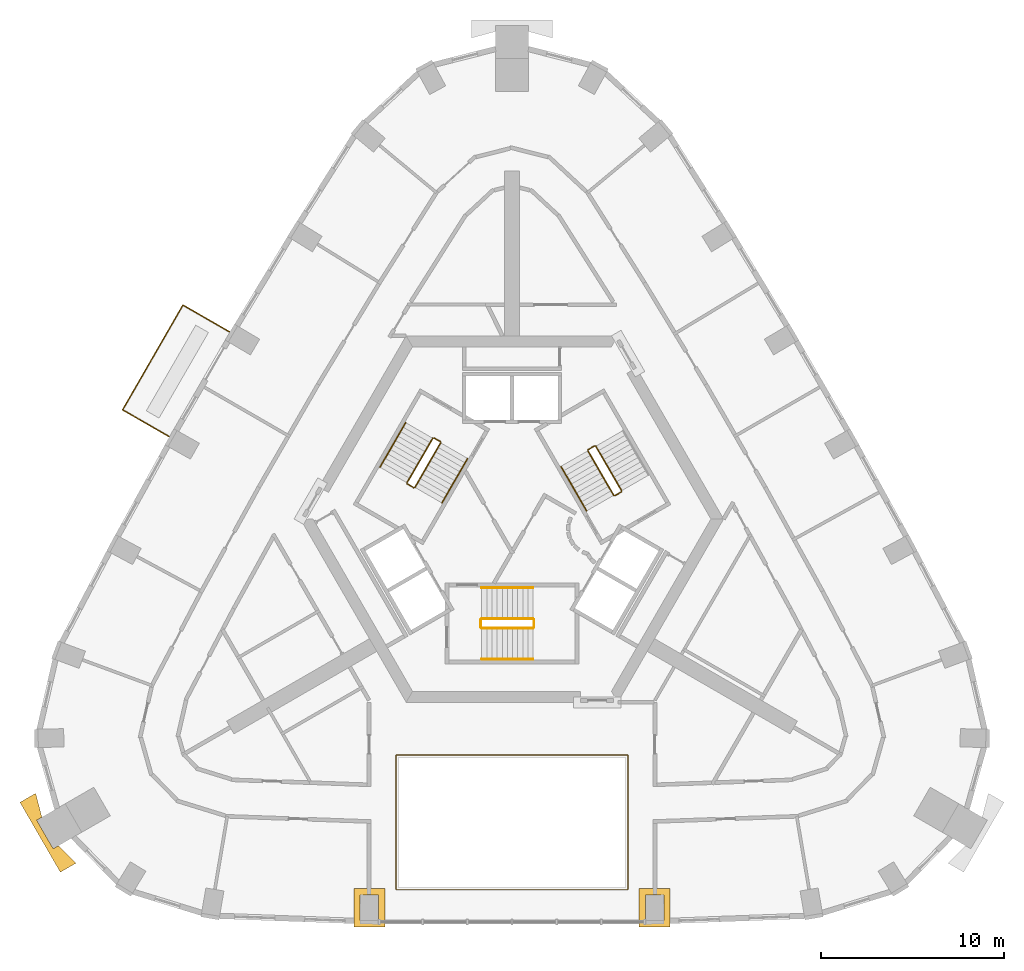
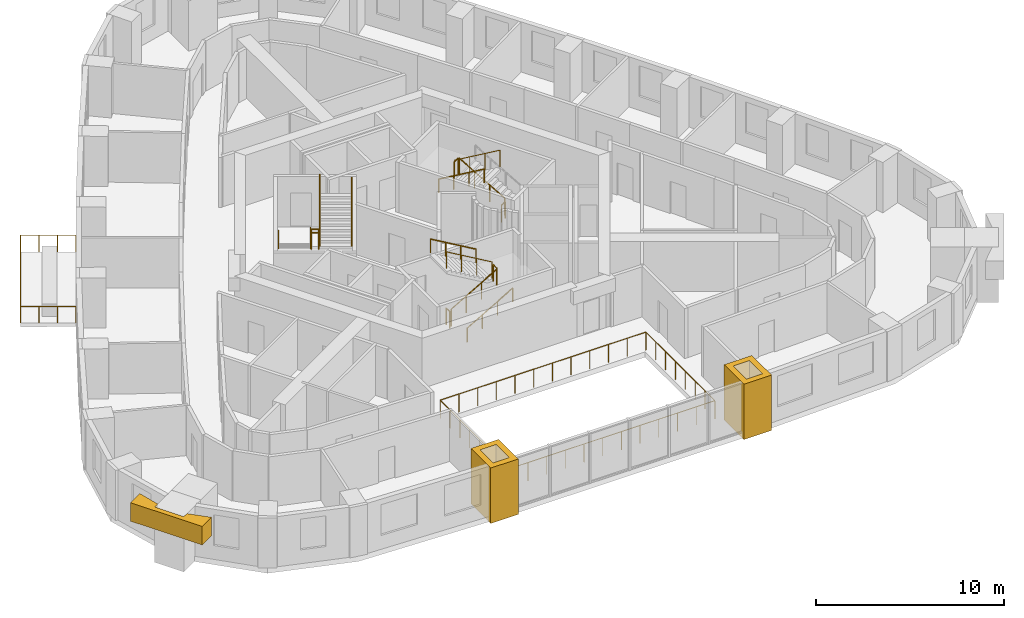
# One storey, part 10 of 11: 19 railings, 3 coverings.
"""IFC4 building model written with IfcOpenShell, lengths in metres."""

import ifcopenshell
import ifcopenshell.guid

model = None  # the IFC model being written
_history = None  # IfcOwnerHistory: only IFC2X3 demands one
_inside = {}  # id of a spatial element -> (the spatial element, [elements in it])
_under = {}  # id of a project, library or spatial element -> (it, [spatial elements below it])
_declared = {}  # id of a project -> (the project, [libraries it declares])
_typed = {}  # id of a type object -> (the type object, [elements of that type])
_made_of = {}  # id of a material, layer set ... -> (it, [elements and type objects made of it])


def new_model(schema):
    """Start an empty IFC model of exactly this schema.

    Asked for "IFC4X3", IfcOpenShell would pick the latest addendum, in which some entities
    have other attributes; the version numbers below select the first issue.
    IFC2X3 requires an IfcOwnerHistory on every rooted entity: one is made here for all.
    """
    global model, _history
    if schema == "IFC4X3":
        model = ifcopenshell.file(schema_version=(4, 3, 0, 0))
    else:
        model = ifcopenshell.file(schema=schema)
    _inside.clear()
    _under.clear()
    _declared.clear()
    _typed.clear()
    _made_of.clear()
    _history = None
    if model.schema == "IFC2X3":
        org = make("IfcOrganization", Name="unknown")
        user = make(
            "IfcPersonAndOrganization",
            ThePerson=make("IfcPerson", FamilyName="unknown"),
            TheOrganization=org,
        )
        app = make(
            "IfcApplication",
            ApplicationDeveloper=org,
            Version="unknown",
            ApplicationFullName="unknown",
            ApplicationIdentifier="unknown",
        )
        _history = make(
            "IfcOwnerHistory",
            OwningUser=user,
            OwningApplication=app,
            ChangeAction="ADDED",
            CreationDate=0,
        )
    return model


def make(cls, **values):
    """One entity of the class cls with the attributes given. An attribute that is None is left unset."""
    return model.create_entity(
        cls, **{name: value for name, value in values.items() if value is not None}
    )


def rooted(cls, **values):
    """An entity with a GlobalId (a new one), such as an element, a storey or a relation."""
    return make(cls, GlobalId=ifcopenshell.guid.new(), OwnerHistory=_history, **values)


def si_unit(unit_type, name, prefix=None):
    """IfcSIUnit, for example si_unit("LENGTHUNIT", "METRE", prefix="MILLI")."""
    return make("IfcSIUnit", UnitType=unit_type, Prefix=prefix, Name=name)


def assignment(units):
    """IfcUnitAssignment: the units of a project."""
    return None if units is None else make("IfcUnitAssignment", Units=units)


def point(xyz):
    """IfcCartesianPoint."""
    return None if xyz is None else make("IfcCartesianPoint", Coordinates=xyz)


def direction(xyz):
    """IfcDirection."""
    return None if xyz is None else make("IfcDirection", DirectionRatios=xyz)


def frame(location, z_axis=None, x_axis=None):
    """IfcAxis2Placement3D, a coordinate frame: its origin and axes. An axis left out is left unset."""
    return make(
        "IfcAxis2Placement3D",
        Location=point(location),
        Axis=direction(z_axis),
        RefDirection=direction(x_axis),
    )


def frame_2d(location, x_axis=None):
    """IfcAxis2Placement2D, a coordinate frame in the plane: its origin and x axis."""
    return make(
        "IfcAxis2Placement2D", Location=point(location), RefDirection=direction(x_axis)
    )


def origin():
    """The frame at (0, 0, 0) with its axes left unset."""
    return frame((0.0, 0.0, 0.0))


def origin_2d():
    """The frame at (0, 0) in the plane with its x axis left unset."""
    return frame_2d((0.0, 0.0))


def place(relative_to, where):
    """IfcLocalPlacement: puts the frame where relative to a parent placement (None: the world)."""
    return make(
        "IfcLocalPlacement", PlacementRelTo=relative_to, RelativePlacement=where
    )


def context(
    kind, dimensions, precision=None, world=None, true_north=None, identifier=None
):
    """IfcGeometricRepresentationContext, for example the 3D "Model" context."""
    return make(
        "IfcGeometricRepresentationContext",
        ContextIdentifier=identifier,
        ContextType=kind,
        CoordinateSpaceDimension=dimensions,
        Precision=precision,
        WorldCoordinateSystem=world,
        TrueNorth=true_north,
    )


def subcontext(parent, identifier, kind, view, scale=None):
    """IfcGeometricRepresentationSubContext, for example "Body" below "Model"."""
    return make(
        "IfcGeometricRepresentationSubContext",
        ContextIdentifier=identifier,
        ContextType=kind,
        ParentContext=parent,
        TargetScale=scale,
        TargetView=view,
    )


def project(units=None, contexts=None):
    """IfcProject with its units and contexts."""
    return rooted(
        "IfcProject",
        Name="project",
        RepresentationContexts=contexts,
        UnitsInContext=assignment(units),
    )


def spatial(cls, under=None, at=None, **own):
    """A site, building, storey or space (cls), placed at a placement, below another one or the project."""
    s = rooted(cls, ObjectPlacement=at, **own)
    if under is not None:
        _under.setdefault(under.id(), (under, []))[1].append(s)
    return s


def polyline(points):
    """IfcPolyline through the points."""
    return make("IfcPolyline", Points=[point(p) for p in points])


def profile(cls, at=None, kind="AREA", **sizes):
    """A parametric profile (cls). Its sizes go by their IFC names, for example OverallWidth=200.0."""
    return make(cls, ProfileType=kind, Position=at, **sizes)


def circle(**sizes):
    """IfcCircleProfileDef."""
    return profile("IfcCircleProfileDef", **sizes)


def outline(outer, holes=None, kind="AREA"):
    """IfcArbitraryClosedProfileDef: a profile drawn as a closed curve; with holes, ...WithVoids."""
    if holes is None:
        return make("IfcArbitraryClosedProfileDef", ProfileType=kind, OuterCurve=outer)
    return make(
        "IfcArbitraryProfileDefWithVoids",
        ProfileType=kind,
        OuterCurve=outer,
        InnerCurves=holes,
    )


def extrude(swept, where, along, depth):
    """IfcExtrudedAreaSolid: the profile swept, set in the frame where, extruded along a direction by depth."""
    return make(
        "IfcExtrudedAreaSolid",
        SweptArea=swept,
        Position=where,
        ExtrudedDirection=direction(along),
        Depth=depth,
    )


def shape(context_of_items, identifier, shape_type, items):
    """IfcShapeRepresentation: the items that make up one representation, for example the "Body"."""
    return make(
        "IfcShapeRepresentation",
        ContextOfItems=context_of_items,
        RepresentationIdentifier=identifier,
        RepresentationType=shape_type,
        Items=items,
    )


def material(Name=None, Category=None):
    """IfcMaterial."""
    return make("IfcMaterial", Name=Name, Category=Category)


def made_of(thing, what):
    """Note that an element or type object is made of a material, layer set ...; save() writes the relation."""
    if what is not None:
        _made_of.setdefault(what.id(), (what, []))[1].append(thing)
    return thing


def type_object(cls, material=None, **own):
    """A type object (cls), such as IfcWallType, which elements share."""
    return made_of(rooted(cls, **own), material)


def element(
    cls,
    number,
    at=None,
    inside=None,
    cuts=None,
    type_object=None,
    material=None,
    context=None,
    identifier="Body",
    shape_type=None,
    held_by="IfcProductDefinitionShape",
    body=None,
    shapes=None,
    **own,
):
    """One element of the class cls, such as IfcWall. Its Tag is "e" and its number.

    at: its placement. inside: the storey or other place that contains it. cuts: it is an
    opening in that element (IfcRelVoidsElement). A single representation is given by context,
    identifier, shape_type and body (its items); several are given by shapes. held_by: the class
    of the entity that holds the representations. save() writes the other relations.
    """
    e = rooted(cls, Tag="e%d" % number, ObjectPlacement=at, **own)
    if body is not None:
        shapes = [shape(context, identifier, shape_type, body)]
    if shapes is not None:
        e.Representation = make(held_by, Representations=shapes)
    if inside is not None:
        _inside.setdefault(inside.id(), (inside, []))[1].append(e)
    if cuts is not None:
        rooted(
            "IfcRelVoidsElement", RelatingBuildingElement=cuts, RelatedOpeningElement=e
        )
    if type_object is not None:
        _typed.setdefault(type_object.id(), (type_object, []))[1].append(e)
    return made_of(e, material)


def aggregate(whole, parts):
    """IfcRelAggregates: a whole, such as a stair, and the parts it consists of."""
    return rooted("IfcRelAggregates", RelatingObject=whole, RelatedObjects=parts)


def save(model, path):
    """Write the relations noted so far, then the file.

    IfcRelAggregates (storeys below a building ...), IfcRelContainedInSpatialStructure (elements
    in a storey), IfcRelDefinesByType, IfcRelAssociatesMaterial and IfcRelDeclares: one each for
    every whole, place, type object, material and project.
    """
    for whole, parts in _under.values():
        aggregate(whole, parts)
    for where, things in _inside.values():
        rooted(
            "IfcRelContainedInSpatialStructure",
            RelatedElements=things,
            RelatingStructure=where,
        )
    for kind, things in _typed.values():
        rooted("IfcRelDefinesByType", RelatedObjects=things, RelatingType=kind)
    for what, things in _made_of.values():
        rooted("IfcRelAssociatesMaterial", RelatedObjects=things, RelatingMaterial=what)
    for by, libraries in _declared.values():
        rooted("IfcRelDeclares", RelatingContext=by, RelatedDefinitions=libraries)
    model.write(path)


model = new_model("IFC4")

# Units and contexts
model_context = context("Model", 3, precision=1e-05, world=origin(), true_north=direction((0.0, 1.0)))
body_context = subcontext(model_context, "Body", "Model", "MODEL_VIEW")
ifc_project = project(units=[si_unit("LENGTHUNIT", "METRE"), si_unit("AREAUNIT", "SQUARE_METRE"), si_unit("VOLUMEUNIT", "CUBIC_METRE"), si_unit("PLANEANGLEUNIT", "RADIAN"), si_unit("MASSUNIT", "GRAM", prefix="KILO")], contexts=[model_context])

# Site, building, storey
site_placement = place(None, origin())
site = spatial("IfcSite", under=ifc_project, at=site_placement, CompositionType="ELEMENT")
building_placement = place(site_placement, origin())
building = spatial("IfcBuilding", under=site, at=building_placement, Name="Entoto Arch Interchange Tower", CompositionType="ELEMENT")
storey_placement = place(building_placement, frame((0.0, 0.0, 248.60009765625)))
storey = spatial("IfcBuildingStorey", under=building, at=storey_placement, Name="L56", CompositionType="ELEMENT", Elevation=248.60009765625)

# Railings
ifc_material_1 = material(Name="Stainless steel 1.4301", Category="steel")
railing_type_1 = type_object("IfcRailingType", Name="ATRIUM GUARD 1200 STEEL AND GLASS", PredefinedType="GUARDRAIL", material=ifc_material_1)
railing_1_placement = place(storey_placement, frame((6.320068359375, -17.72802734375, 0.0)))
element("IfcRailing", 1, at=railing_1_placement, inside=storey, type_object=railing_type_1, Name="Atrium guard L56", PredefinedType="GUARDRAIL", context=body_context, shape_type="SweptSolid", body=[
    extrude(circle(Radius=0.02392578125, at=origin_2d()), frame((0.0, 0.0, 1.17578125), z_axis=(-1.0, 0.0, 0.0), x_axis=(0.0, -1.0, 0.0)), (0.0, 0.0, 1.0), 12.64013671875),
    extrude(circle(Radius=0.02392578125, at=origin_2d()), frame((-12.64013671875, 0.0, 1.17578125), z_axis=(0.0, 1.0, 0.0), x_axis=(-1.0, 0.0, 0.0)), (0.0, 0.0, 1.0), 7.34814453125),
    extrude(circle(Radius=0.02392578125, at=origin_2d()), frame((-12.64013671875, 7.34814453125, 1.17578125), z_axis=(1.0, 0.0, 0.0), x_axis=(0.0, 1.0, 0.0)), (0.0, 0.0, 1.0), 12.64013671875),
    extrude(circle(Radius=0.02392578125, at=origin_2d()), frame((0.0, 7.34814453125, 1.17578125), z_axis=(0.0, -1.0, 0.0), x_axis=(1.0, 0.0, 0.0)), (0.0, 0.0, 1.0), 7.34814453125),
    extrude(circle(Radius=0.02099609375, at=origin_2d()), origin(), (0.0, 0.0, 1.0), 1.15185546875),
    extrude(circle(Radius=0.02099609375, at=origin_2d()), frame((-1.149169921875, 0.0, 0.0)), (0.0, 0.0, 1.0), 1.15185546875),
    extrude(circle(Radius=0.02099609375, at=origin_2d()), frame((-2.298095703125, 0.0, 0.0)), (0.0, 0.0, 1.0), 1.15185546875),
    extrude(circle(Radius=0.02099609375, at=origin_2d()), frame((-3.447265625, 0.0, 0.0)), (0.0, 0.0, 1.0), 1.15185546875),
    extrude(circle(Radius=0.02099609375, at=origin_2d()), frame((-4.596435546875, 0.0, 0.0)), (0.0, 0.0, 1.0), 1.15185546875),
    extrude(circle(Radius=0.02099609375, at=origin_2d()), frame((-5.74560546875, 0.0, 0.0)), (0.0, 0.0, 1.0), 1.15185546875),
    extrude(circle(Radius=0.02099609375, at=origin_2d()), frame((-6.89453125, 0.0, 0.0)), (0.0, 0.0, 1.0), 1.15185546875),
    extrude(circle(Radius=0.02099609375, at=origin_2d()), frame((-8.043701171875, 0.0, 0.0)), (0.0, 0.0, 1.0), 1.15185546875),
    extrude(circle(Radius=0.02099609375, at=origin_2d()), frame((-9.19287109375, 0.0, 0.0)), (0.0, 0.0, 1.0), 1.15185546875),
    extrude(circle(Radius=0.02099609375, at=origin_2d()), frame((-10.342041015625, 0.0, 0.0)), (0.0, 0.0, 1.0), 1.15185546875),
    extrude(circle(Radius=0.02099609375, at=origin_2d()), frame((-11.490966796875, 0.0, 0.0)), (0.0, 0.0, 1.0), 1.15185546875),
    extrude(circle(Radius=0.02099609375, at=origin_2d()), frame((-12.64013671875, 0.0, 0.0)), (0.0, 0.0, 1.0), 1.15185546875),
    extrude(circle(Radius=0.02099609375, at=origin_2d()), frame((-12.64013671875, 1.0498046875, 0.0)), (0.0, 0.0, 1.0), 1.15185546875),
    extrude(circle(Radius=0.02099609375, at=origin_2d()), frame((-12.64013671875, 2.099365234375, 0.0)), (0.0, 0.0, 1.0), 1.15185546875),
    extrude(circle(Radius=0.02099609375, at=origin_2d()), frame((-12.64013671875, 3.149169921875, 0.0)), (0.0, 0.0, 1.0), 1.15185546875),
    extrude(circle(Radius=0.02099609375, at=origin_2d()), frame((-12.64013671875, 4.198974609375, 0.0)), (0.0, 0.0, 1.0), 1.15185546875),
    extrude(circle(Radius=0.02099609375, at=origin_2d()), frame((-12.64013671875, 5.248779296875, 0.0)), (0.0, 0.0, 1.0), 1.15185546875),
    extrude(circle(Radius=0.02099609375, at=origin_2d()), frame((-12.64013671875, 6.29833984375, 0.0)), (0.0, 0.0, 1.0), 1.15185546875),
    extrude(circle(Radius=0.02099609375, at=origin_2d()), frame((-12.64013671875, 7.34814453125, 0.0)), (0.0, 0.0, 1.0), 1.15185546875),
    extrude(circle(Radius=0.02099609375, at=origin_2d()), frame((-11.490966796875, 7.34814453125, 0.0)), (0.0, 0.0, 1.0), 1.15185546875),
    extrude(circle(Radius=0.02099609375, at=origin_2d()), frame((-10.342041015625, 7.34814453125, 0.0)), (0.0, 0.0, 1.0), 1.15185546875),
    extrude(circle(Radius=0.02099609375, at=origin_2d()), frame((-9.19287109375, 7.34814453125, 0.0)), (0.0, 0.0, 1.0), 1.15185546875),
    extrude(circle(Radius=0.02099609375, at=origin_2d()), frame((-8.043701171875, 7.34814453125, 0.0)), (0.0, 0.0, 1.0), 1.15185546875),
    extrude(circle(Radius=0.02099609375, at=origin_2d()), frame((-6.89453125, 7.34814453125, 0.0)), (0.0, 0.0, 1.0), 1.15185546875),
    extrude(circle(Radius=0.02099609375, at=origin_2d()), frame((-5.74560546875, 7.34814453125, 0.0)), (0.0, 0.0, 1.0), 1.15185546875),
    extrude(circle(Radius=0.02099609375, at=origin_2d()), frame((-4.596435546875, 7.34814453125, 0.0)), (0.0, 0.0, 1.0), 1.15185546875),
    extrude(circle(Radius=0.02099609375, at=origin_2d()), frame((-3.447265625, 7.34814453125, 0.0)), (0.0, 0.0, 1.0), 1.15185546875),
    extrude(circle(Radius=0.02099609375, at=origin_2d()), frame((-2.298095703125, 7.34814453125, 0.0)), (0.0, 0.0, 1.0), 1.15185546875),
    extrude(circle(Radius=0.02099609375, at=origin_2d()), frame((-1.149169921875, 7.34814453125, 0.0)), (0.0, 0.0, 1.0), 1.15185546875),
    extrude(circle(Radius=0.02099609375, at=origin_2d()), frame((0.0, 7.34814453125, 0.0)), (0.0, 0.0, 1.0), 1.15185546875),
    extrude(circle(Radius=0.02099609375, at=origin_2d()), frame((0.0, 6.29833984375, 0.0)), (0.0, 0.0, 1.0), 1.15185546875),
    extrude(circle(Radius=0.02099609375, at=origin_2d()), frame((0.0, 5.248779296875, 0.0)), (0.0, 0.0, 1.0), 1.15185546875),
    extrude(circle(Radius=0.02099609375, at=origin_2d()), frame((0.0, 4.198974609375, 0.0)), (0.0, 0.0, 1.0), 1.15185546875),
    extrude(circle(Radius=0.02099609375, at=origin_2d()), frame((0.0, 3.149169921875, 0.0)), (0.0, 0.0, 1.0), 1.15185546875),
    extrude(circle(Radius=0.02099609375, at=origin_2d()), frame((0.0, 2.099365234375, 0.0)), (0.0, 0.0, 1.0), 1.15185546875),
    extrude(circle(Radius=0.02099609375, at=origin_2d()), frame((0.0, 1.0498046875, 0.0)), (0.0, 0.0, 1.0), 1.15185546875),
])
railing_type_2 = type_object("IfcRailingType", Name="GUARD 1100 STEEL AND GLASS", PredefinedType="GUARDRAIL", material=ifc_material_1)
railing_2_placement = place(storey_placement, frame((-15.39794921875, 12.697021484375, 0.0)))
element("IfcRailing", 2, at=railing_2_placement, inside=storey, type_object=railing_type_2, Name="Balcony guard NW-03 L56", PredefinedType="GUARDRAIL", context=body_context, shape_type="SweptSolid", body=[
    extrude(circle(Radius=0.02392578125, at=origin_2d()), frame((0.0, 0.0, 1.076171875), z_axis=(-0.866024349092, 0.500001826776, 0.0), x_axis=(-0.500001826776, -0.866024349092, 0.0)), (0.0, 0.0, 1.0), 2.9501953125),
    extrude(circle(Radius=0.02392578125, at=origin_2d()), frame((-2.554931640625, 1.47509765625, 1.076171875), z_axis=(-0.499973487459, -0.866040710266, 0.0), x_axis=(0.866040710266, -0.499973487459, 0.0)), (0.0, 0.0, 1.0), 6.594482421875),
    extrude(circle(Radius=0.02392578125, at=origin_2d()), frame((-5.85205078125, -4.236083984375, 1.076171875), z_axis=(0.866060182126, -0.499939757307, 0.0), x_axis=(0.499939757307, 0.866060182126, 0.0)), (0.0, 0.0, 1.0), 2.949951171875),
    extrude(circle(Radius=0.02099609375, at=origin_2d()), origin(), (0.0, 0.0, 1.0), 1.052001953125),
    extrude(circle(Radius=0.02099609375, at=origin_2d()), frame((-0.8515625, 0.49169921875, 0.0)), (0.0, 0.0, 1.0), 1.052001953125),
    extrude(circle(Radius=0.02099609375, at=origin_2d()), frame((-1.703369140625, 0.9833984375, 0.0)), (0.0, 0.0, 1.0), 1.052001953125),
    extrude(circle(Radius=0.02099609375, at=origin_2d()), frame((-2.554931640625, 1.47509765625, 0.0)), (0.0, 0.0, 1.0), 1.052001953125),
    extrude(circle(Radius=0.02099609375, at=origin_2d()), frame((-3.1044921875, 0.523193359375, 0.0)), (0.0, 0.0, 1.0), 1.052001953125),
    extrude(circle(Radius=0.02099609375, at=origin_2d()), frame((-3.654052734375, -0.4287109375, 0.0)), (0.0, 0.0, 1.0), 1.052001953125),
    extrude(circle(Radius=0.02099609375, at=origin_2d()), frame((-4.20361328125, -1.38037109375, 0.0)), (0.0, 0.0, 1.0), 1.052001953125),
    extrude(circle(Radius=0.02099609375, at=origin_2d()), frame((-4.7529296875, -2.332275390625, 0.0)), (0.0, 0.0, 1.0), 1.052001953125),
    extrude(circle(Radius=0.02099609375, at=origin_2d()), frame((-5.302490234375, -3.2841796875, 0.0)), (0.0, 0.0, 1.0), 1.052001953125),
    extrude(circle(Radius=0.02099609375, at=origin_2d()), frame((-5.85205078125, -4.236083984375, 0.0)), (0.0, 0.0, 1.0), 1.052001953125),
    extrude(circle(Radius=0.02099609375, at=origin_2d()), frame((-5.00048828125, -4.727783203125, 0.0)), (0.0, 0.0, 1.0), 1.052001953125),
    extrude(circle(Radius=0.02099609375, at=origin_2d()), frame((-4.148681640625, -5.21923828125, 0.0)), (0.0, 0.0, 1.0), 1.052001953125),
    extrude(circle(Radius=0.02099609375, at=origin_2d()), frame((-3.297119140625, -5.7109375, 0.0)), (0.0, 0.0, 1.0), 1.052001953125),
])

# Coverings
ifc_material_2 = material(Name="Board-marked precast concrete C50/60", Category="concrete")
covering_type = type_object("IfcCoveringType", Name="PRECAST FRAME COURSE", PredefinedType="CLADDING", material=ifc_material_2)
covering_1_placement = place(storey_placement, frame((0.0, 0.0, 2.059814453125)))
element("IfcCovering", 3, at=covering_1_placement, inside=storey, type_object=covering_type, Name="Corner pilaster head SW L54-L56", PredefinedType="CLADDING", context=body_context, shape_type="SweptSolid", body=[
    extrude(outline(polyline([(-24.64599609375, -16.77001953125), (-26.845947265625, -12.9599609375), (-25.992919921875, -12.467041015625), (-25.652099609375, -13.77099609375), (-25.93603515625, -13.93603515625), (-25.035888671875, -15.493896484375), (-24.751953125, -15.330078125), (-23.79296875, -16.278076171875), (-24.64599609375, -16.77001953125)])), origin(), (0.0, 0.0, 1.0), 1.2001953125),
])
covering_2_placement = place(storey_placement, frame((0.0, 0.0, -0.340087890625)))
element("IfcCovering", 4, at=covering_2_placement, inside=storey, type_object=covering_type, Name="Gate pier L56", PredefinedType="CLADDING", context=body_context, shape_type="SweptSolid", body=[
    extrude(outline(polyline([(-8.634033203125, -17.657958984375), (-6.93408203125, -17.657958984375), (-6.93408203125, -19.758056640625), (-8.634033203125, -19.758056640625), (-8.634033203125, -17.657958984375)]), holes=[polyline([(-8.283935546875, -18.008056640625), (-8.283935546875, -19.407958984375), (-7.283935546875, -19.407958984375), (-7.283935546875, -18.008056640625), (-8.283935546875, -18.008056640625)])]), origin(), (0.0, 0.0, 1.0), 3.60009765625),
])
covering_3_placement = place(storey_placement, frame((0.0, 0.0, -0.340087890625)))
element("IfcCovering", 5, at=covering_3_placement, inside=storey, type_object=covering_type, Name="Gate pier L56", PredefinedType="CLADDING", context=body_context, shape_type="SweptSolid", body=[
    extrude(outline(polyline([(6.93408203125, -17.657958984375), (8.634033203125, -17.657958984375), (8.634033203125, -19.758056640625), (6.93408203125, -19.758056640625), (6.93408203125, -17.657958984375)]), holes=[polyline([(7.283935546875, -18.008056640625), (7.283935546875, -19.407958984375), (8.283935546875, -19.407958984375), (8.283935546875, -18.008056640625), (7.283935546875, -18.008056640625)])]), origin(), (0.0, 0.0, 1.0), 3.60009765625),
])

# Railings
railing_type_3 = type_object("IfcRailingType", Name="STAIR GUARD 1100 STEEL", PredefinedType="GUARDRAIL", material=ifc_material_1)
railing_3_placement = place(storey_placement, frame((-1.64990234375, -3.449951171875, 0.16357421875)))
element("IfcRailing", 6, at=railing_3_placement, inside=storey, type_object=railing_type_3, Name="L56 ST-S stair guard 1", PredefinedType="GUARDRAIL", context=body_context, shape_type="SweptSolid", body=[
    extrude(circle(Radius=0.02392578125, at=origin_2d()), frame((0.0, 0.0, 1.076171875), z_axis=(0.863374499697, 0.0, 0.504563646405), x_axis=(0.0, 1.0, 0.0)), (0.0, 0.0, 1.0), 3.242919921875),
    extrude(circle(Radius=0.02099609375, at=origin_2d()), origin(), (0.0, 0.0, 1.0), 1.052001953125),
    extrude(circle(Radius=0.02099609375, at=origin_2d()), frame((0.933349609375, 0.0, 0.54541015625)), (0.0, 0.0, 1.0), 1.052001953125),
    extrude(circle(Radius=0.02099609375, at=origin_2d()), frame((1.866455078125, 0.0, 1.0908203125)), (0.0, 0.0, 1.0), 1.052001953125),
    extrude(circle(Radius=0.02099609375, at=origin_2d()), frame((2.7998046875, 0.0, 1.63623046875)), (0.0, 0.0, 1.0), 1.052001953125),
])
railing_4_placement = place(storey_placement, frame((1.199951171875, -3.39990234375, 1.7998046875)))
element("IfcRailing", 7, at=railing_4_placement, inside=storey, type_object=railing_type_3, Name="L56 ST-S stair guard 2", PredefinedType="GUARDRAIL", context=body_context, shape_type="SweptSolid", body=[
    extrude(circle(Radius=0.02392578125, at=origin_2d()), frame((0.0, 0.0, 1.076171875), z_axis=(0.0, 1.0, 0.0), x_axis=(-1.0, 0.0, 0.0)), (0.0, 0.0, 1.0), 0.39990234375),
    extrude(circle(Radius=0.02099609375, at=origin_2d()), origin(), (0.0, 0.0, 1.0), 1.052001953125),
    extrude(circle(Radius=0.02099609375, at=origin_2d()), frame((0.0, 0.39990234375, 0.0)), (0.0, 0.0, 1.0), 1.052001953125),
])
railing_5_placement = place(storey_placement, frame((1.14990234375, -2.949951171875, 1.963623046875)))
element("IfcRailing", 8, at=railing_5_placement, inside=storey, type_object=railing_type_3, Name="L56 ST-S stair guard 3", PredefinedType="GUARDRAIL", context=body_context, shape_type="SweptSolid", body=[
    extrude(circle(Radius=0.02392578125, at=origin_2d()), frame((0.0, 0.0, 1.076171875), z_axis=(-0.863374499697, 0.0, 0.504563646405), x_axis=(0.0, -1.0, 0.0)), (0.0, 0.0, 1.0), 3.242919921875),
    extrude(circle(Radius=0.02099609375, at=origin_2d()), origin(), (0.0, 0.0, 1.0), 1.052001953125),
    extrude(circle(Radius=0.02099609375, at=origin_2d()), frame((-0.933349609375, 0.0, 0.54541015625)), (0.0, 0.0, 1.0), 1.052001953125),
    extrude(circle(Radius=0.02099609375, at=origin_2d()), frame((-1.866455078125, 0.0, 1.0908203125)), (0.0, 0.0, 1.0), 1.052001953125),
    extrude(circle(Radius=0.02099609375, at=origin_2d()), frame((-2.7998046875, 0.0, 1.63623046875)), (0.0, 0.0, 1.0), 1.052001953125),
])
railing_6_placement = place(storey_placement, frame((-1.699951171875, -3.39990234375, 0.0)))
element("IfcRailing", 9, at=railing_6_placement, inside=storey, type_object=railing_type_3, Name="L56 ST-S stair guard 4", PredefinedType="GUARDRAIL", context=body_context, shape_type="SweptSolid", body=[
    extrude(circle(Radius=0.02392578125, at=origin_2d()), frame((0.0, 0.0, 1.076171875), z_axis=(0.0, 1.0, 0.0), x_axis=(-1.0, 0.0, 0.0)), (0.0, 0.0, 1.0), 0.39990234375),
    extrude(circle(Radius=0.02099609375, at=origin_2d()), origin(), (0.0, 0.0, 1.0), 1.052001953125),
    extrude(circle(Radius=0.02099609375, at=origin_2d()), frame((0.0, 0.39990234375, 0.0)), (0.0, 0.0, 1.0), 1.052001953125),
])
railing_7_placement = place(storey_placement, frame((5.977783203125, 4.046142578125, 0.16357421875)))
element("IfcRailing", 10, at=railing_7_placement, inside=storey, type_object=railing_type_3, Name="L56 ST-NE stair guard 1", PredefinedType="GUARDRAIL", context=body_context, shape_type="SweptSolid", body=[
    extrude(circle(Radius=0.02392578125, at=origin_2d()), frame((0.0, 0.0, 1.076171875), z_axis=(-0.431677027627, 0.74771821388, 0.504551698492), x_axis=(-0.866034573852, -0.49998411664, 0.0)), (0.0, 0.0, 1.0), 3.242919921875),
    extrude(circle(Radius=0.02099609375, at=origin_2d()), origin(), (0.0, 0.0, 1.0), 1.052001953125),
    extrude(circle(Radius=0.02099609375, at=origin_2d()), frame((-0.466552734375, 0.808349609375, 0.54541015625)), (0.0, 0.0, 1.0), 1.052001953125),
    extrude(circle(Radius=0.02099609375, at=origin_2d()), frame((-0.933349609375, 1.616455078125, 1.0908203125)), (0.0, 0.0, 1.0), 1.052001953125),
    extrude(circle(Radius=0.02099609375, at=origin_2d()), frame((-1.39990234375, 2.4248046875, 1.63623046875)), (0.0, 0.0, 1.0), 1.052001953125),
])
railing_8_placement = place(storey_placement, frame((4.509521484375, 6.4892578125, 1.7998046875)))
element("IfcRailing", 11, at=railing_8_placement, inside=storey, type_object=railing_type_3, Name="L56 ST-NE stair guard 2", PredefinedType="GUARDRAIL", context=body_context, shape_type="SweptSolid", body=[
    extrude(circle(Radius=0.02392578125, at=origin_2d()), frame((0.0, 0.0, 1.076171875), z_axis=(-0.866094119867, -0.499880961361, 0.0), x_axis=(0.499880961361, -0.866094119867, 0.0)), (0.0, 0.0, 1.0), 0.39990234375),
    extrude(circle(Radius=0.02099609375, at=origin_2d()), origin(), (0.0, 0.0, 1.0), 1.052001953125),
    extrude(circle(Radius=0.02099609375, at=origin_2d()), frame((-0.346435546875, -0.199951171875, 0.0)), (0.0, 0.0, 1.0), 1.052001953125),
])
railing_9_placement = place(storey_placement, frame((4.144775390625, 6.220947265625, 1.963623046875)))
element("IfcRailing", 12, at=railing_9_placement, inside=storey, type_object=railing_type_3, Name="L56 ST-NE stair guard 3", PredefinedType="GUARDRAIL", context=body_context, shape_type="SweptSolid", body=[
    extrude(circle(Radius=0.02392578125, at=origin_2d()), frame((0.0, 0.0, 1.076171875), z_axis=(0.431738279637, -0.747693913401, 0.504535300807), x_axis=(0.865996816683, 0.500049511043, 0.0)), (0.0, 0.0, 1.0), 3.2431640625),
    extrude(circle(Radius=0.02099609375, at=origin_2d()), origin(), (0.0, 0.0, 1.0), 1.052001953125),
    extrude(circle(Radius=0.02099609375, at=origin_2d()), frame((0.466796875, -0.808349609375, 0.54541015625)), (0.0, 0.0, 1.0), 1.052001953125),
    extrude(circle(Radius=0.02099609375, at=origin_2d()), frame((0.933349609375, -1.616455078125, 1.0908203125)), (0.0, 0.0, 1.0), 1.052001953125),
    extrude(circle(Radius=0.02099609375, at=origin_2d()), frame((1.400146484375, -2.4248046875, 1.63623046875)), (0.0, 0.0, 1.0), 1.052001953125),
])
railing_10_placement = place(storey_placement, frame((5.95947265625, 3.977783203125, 0.0)))
element("IfcRailing", 13, at=railing_10_placement, inside=storey, type_object=railing_type_3, Name="L56 ST-NE stair guard 4", PredefinedType="GUARDRAIL", context=body_context, shape_type="SweptSolid", body=[
    extrude(circle(Radius=0.02392578125, at=origin_2d()), frame((0.0, 0.0, 1.076171875), z_axis=(-0.866094119867, -0.499880961361, 0.0), x_axis=(0.499880961361, -0.866094119867, 0.0)), (0.0, 0.0, 1.0), 0.39990234375),
    extrude(circle(Radius=0.02099609375, at=origin_2d()), origin(), (0.0, 0.0, 1.0), 1.052001953125),
    extrude(circle(Radius=0.02099609375, at=origin_2d()), frame((-0.346435546875, -0.199951171875, 0.0)), (0.0, 0.0, 1.0), 1.052001953125),
])
railing_11_placement = place(storey_placement, frame((-4.327880859375, 6.904052734375, 0.16357421875)))
element("IfcRailing", 14, at=railing_11_placement, inside=storey, type_object=railing_type_3, Name="L56 ST-NW stair guard 1", PredefinedType="GUARDRAIL", context=body_context, shape_type="SweptSolid", body=[
    extrude(circle(Radius=0.02392578125, at=origin_2d()), frame((0.0, 0.0, 1.076171875), z_axis=(-0.43165272891, -0.747751404999, 0.504523297725), x_axis=(0.866056369097, -0.49994636267, 0.0)), (0.0, 0.0, 1.0), 3.2431640625),
    extrude(circle(Radius=0.02099609375, at=origin_2d()), origin(), (0.0, 0.0, 1.0), 1.052001953125),
    extrude(circle(Radius=0.02099609375, at=origin_2d()), frame((-0.466552734375, -0.808349609375, 0.54541015625)), (0.0, 0.0, 1.0), 1.052001953125),
    extrude(circle(Radius=0.02099609375, at=origin_2d()), frame((-0.933349609375, -1.61669921875, 1.0908203125)), (0.0, 0.0, 1.0), 1.052001953125),
    extrude(circle(Radius=0.02099609375, at=origin_2d()), frame((-1.39990234375, -2.425048828125, 1.63623046875)), (0.0, 0.0, 1.0), 1.052001953125),
])
railing_12_placement = place(storey_placement, frame((-5.70947265625, 4.410888671875, 1.7998046875)))
element("IfcRailing", 15, at=railing_12_placement, inside=storey, type_object=railing_type_3, Name="L56 ST-NW stair guard 2", PredefinedType="GUARDRAIL", context=body_context, shape_type="SweptSolid", body=[
    extrude(circle(Radius=0.02392578125, at=origin_2d()), frame((0.0, 0.0, 1.076171875), z_axis=(0.865829829939, -0.500338590944, 0.0), x_axis=(0.500338590944, 0.865829829939, 0.0)), (0.0, 0.0, 1.0), 0.400146484375),
    extrude(circle(Radius=0.02099609375, at=origin_2d()), origin(), (0.0, 0.0, 1.0), 1.052001953125),
    extrude(circle(Radius=0.02099609375, at=origin_2d()), frame((0.346435546875, -0.2001953125, 0.0)), (0.0, 0.0, 1.0), 1.052001953125),
])
railing_13_placement = place(storey_placement, frame((-5.294921875, 4.22900390625, 1.963623046875)))
element("IfcRailing", 16, at=railing_13_placement, inside=storey, type_object=railing_type_3, Name="L56 ST-NW stair guard 3", PredefinedType="GUARDRAIL", context=body_context, shape_type="SweptSolid", body=[
    extrude(circle(Radius=0.02392578125, at=origin_2d()), frame((0.0, 0.0, 1.076171875), z_axis=(0.431713979052, 0.747727106176, 0.504506902808), x_axis=(-0.866018616679, 0.500011755427, 0.0)), (0.0, 0.0, 1.0), 3.2431640625),
    extrude(circle(Radius=0.02099609375, at=origin_2d()), origin(), (0.0, 0.0, 1.0), 1.052001953125),
    extrude(circle(Radius=0.02099609375, at=origin_2d()), frame((0.466796875, 0.808349609375, 0.54541015625)), (0.0, 0.0, 1.0), 1.052001953125),
    extrude(circle(Radius=0.02099609375, at=origin_2d()), frame((0.933349609375, 1.61669921875, 1.0908203125)), (0.0, 0.0, 1.0), 1.052001953125),
    extrude(circle(Radius=0.02099609375, at=origin_2d()), frame((1.400146484375, 2.425048828125, 1.63623046875)), (0.0, 0.0, 1.0), 1.052001953125),
])
railing_14_placement = place(storey_placement, frame((-4.259521484375, 6.92236328125, 0.0)))
element("IfcRailing", 17, at=railing_14_placement, inside=storey, type_object=railing_type_3, Name="L56 ST-NW stair guard 4", PredefinedType="GUARDRAIL", context=body_context, shape_type="SweptSolid", body=[
    extrude(circle(Radius=0.02392578125, at=origin_2d()), frame((0.0, 0.0, 1.076171875), z_axis=(0.865829829939, -0.500338590944, 0.0), x_axis=(0.500338590944, 0.865829829939, 0.0)), (0.0, 0.0, 1.0), 0.400146484375),
    extrude(circle(Radius=0.02099609375, at=origin_2d()), origin(), (0.0, 0.0, 1.0), 1.052001953125),
    extrude(circle(Radius=0.02099609375, at=origin_2d()), frame((0.346435546875, -0.2001953125, 0.0)), (0.0, 0.0, 1.0), 1.052001953125),
])
railing_type_4 = type_object("IfcRailingType", Name="STAIR HANDRAIL 900 STEEL", PredefinedType="HANDRAIL", material=ifc_material_1)
railing_15_placement = place(storey_placement, frame((-1.64990234375, -5.14990234375, 0.16357421875)))
element("IfcRailing", 18, at=railing_15_placement, inside=storey, type_object=railing_type_4, Name="L56 ST-S stair handrail 1", PredefinedType="HANDRAIL", context=body_context, shape_type="SweptSolid", body=[
    extrude(circle(Radius=0.02392578125, at=origin_2d()), frame((0.0, 0.0, 0.8759765625), z_axis=(0.863374499697, 0.0, 0.504563646405), x_axis=(0.0, 1.0, 0.0)), (0.0, 0.0, 1.0), 3.242919921875),
    extrude(circle(Radius=0.02099609375, at=origin_2d()), origin(), (0.0, 0.0, 1.0), 0.851806640625),
    extrude(circle(Radius=0.02099609375, at=origin_2d()), frame((0.933349609375, 0.0, 0.54541015625)), (0.0, 0.0, 1.0), 0.851806640625),
    extrude(circle(Radius=0.02099609375, at=origin_2d()), frame((1.866455078125, 0.0, 1.0908203125)), (0.0, 0.0, 1.0), 0.851806640625),
    extrude(circle(Radius=0.02099609375, at=origin_2d()), frame((2.7998046875, 0.0, 1.63623046875)), (0.0, 0.0, 1.0), 0.851806640625),
])
railing_16_placement = place(storey_placement, frame((1.14990234375, -1.25, 1.963623046875)))
element("IfcRailing", 19, at=railing_16_placement, inside=storey, type_object=railing_type_4, Name="L56 ST-S stair handrail 2", PredefinedType="HANDRAIL", context=body_context, shape_type="SweptSolid", body=[
    extrude(circle(Radius=0.02392578125, at=origin_2d()), frame((0.0, 0.0, 0.8759765625), z_axis=(-0.863374499697, 0.0, 0.504563646405), x_axis=(0.0, -1.0, 0.0)), (0.0, 0.0, 1.0), 3.242919921875),
    extrude(circle(Radius=0.02099609375, at=origin_2d()), origin(), (0.0, 0.0, 1.0), 0.851806640625),
    extrude(circle(Radius=0.02099609375, at=origin_2d()), frame((-0.933349609375, 0.0, 0.54541015625)), (0.0, 0.0, 1.0), 0.851806640625),
    extrude(circle(Radius=0.02099609375, at=origin_2d()), frame((-1.866455078125, 0.0, 1.0908203125)), (0.0, 0.0, 1.0), 0.851806640625),
    extrude(circle(Radius=0.02099609375, at=origin_2d()), frame((-2.7998046875, 0.0, 1.63623046875)), (0.0, 0.0, 1.0), 0.851806640625),
])
railing_17_placement = place(storey_placement, frame((2.672607421875, 5.370849609375, 1.963623046875)))
element("IfcRailing", 20, at=railing_17_placement, inside=storey, type_object=railing_type_4, Name="L56 ST-NE stair handrail 2", PredefinedType="HANDRAIL", context=body_context, shape_type="SweptSolid", body=[
    extrude(circle(Radius=0.02392578125, at=origin_2d()), frame((0.0, 0.0, 0.8759765625), z_axis=(0.431677027627, -0.74771821388, 0.504551698492), x_axis=(0.866034573852, 0.49998411664, 0.0)), (0.0, 0.0, 1.0), 3.242919921875),
    extrude(circle(Radius=0.02099609375, at=origin_2d()), origin(), (0.0, 0.0, 1.0), 0.851806640625),
    extrude(circle(Radius=0.02099609375, at=origin_2d()), frame((0.466552734375, -0.808349609375, 0.54541015625)), (0.0, 0.0, 1.0), 0.851806640625),
    extrude(circle(Radius=0.02099609375, at=origin_2d()), frame((0.933349609375, -1.616455078125, 1.0908203125)), (0.0, 0.0, 1.0), 0.851806640625),
    extrude(circle(Radius=0.02099609375, at=origin_2d()), frame((1.39990234375, -2.4248046875, 1.63623046875)), (0.0, 0.0, 1.0), 0.851806640625),
])
railing_18_placement = place(storey_placement, frame((-5.800048828125, 7.75390625, 0.16357421875)))
element("IfcRailing", 21, at=railing_18_placement, inside=storey, type_object=railing_type_4, Name="L56 ST-NW stair handrail 1", PredefinedType="HANDRAIL", context=body_context, shape_type="SweptSolid", body=[
    extrude(circle(Radius=0.02392578125, at=origin_2d()), frame((0.0, 0.0, 0.8759765625), z_axis=(-0.431738279637, -0.747693913401, 0.504535300807), x_axis=(0.865996816683, -0.500049511043, 0.0)), (0.0, 0.0, 1.0), 3.2431640625),
    extrude(circle(Radius=0.02099609375, at=origin_2d()), origin(), (0.0, 0.0, 1.0), 0.851806640625),
    extrude(circle(Radius=0.02099609375, at=origin_2d()), frame((-0.466796875, -0.808349609375, 0.54541015625)), (0.0, 0.0, 1.0), 0.851806640625),
    extrude(circle(Radius=0.02099609375, at=origin_2d()), frame((-0.933349609375, -1.616455078125, 1.0908203125)), (0.0, 0.0, 1.0), 0.851806640625),
    extrude(circle(Radius=0.02099609375, at=origin_2d()), frame((-1.400146484375, -2.4248046875, 1.63623046875)), (0.0, 0.0, 1.0), 0.851806640625),
])
railing_19_placement = place(storey_placement, frame((-3.822509765625, 3.379150390625, 1.963623046875)))
element("IfcRailing", 22, at=railing_19_placement, inside=storey, type_object=railing_type_4, Name="L56 ST-NW stair handrail 2", PredefinedType="HANDRAIL", context=body_context, shape_type="SweptSolid", body=[
    extrude(circle(Radius=0.02392578125, at=origin_2d()), frame((0.0, 0.0, 0.8759765625), z_axis=(0.431677027627, 0.74771821388, 0.504551698492), x_axis=(-0.866034573852, 0.49998411664, 0.0)), (0.0, 0.0, 1.0), 3.242919921875),
    extrude(circle(Radius=0.02099609375, at=origin_2d()), origin(), (0.0, 0.0, 1.0), 0.851806640625),
    extrude(circle(Radius=0.02099609375, at=origin_2d()), frame((0.466552734375, 0.808349609375, 0.54541015625)), (0.0, 0.0, 1.0), 0.851806640625),
    extrude(circle(Radius=0.02099609375, at=origin_2d()), frame((0.933349609375, 1.616455078125, 1.0908203125)), (0.0, 0.0, 1.0), 0.851806640625),
    extrude(circle(Radius=0.02099609375, at=origin_2d()), frame((1.39990234375, 2.4248046875, 1.63623046875)), (0.0, 0.0, 1.0), 0.851806640625),
])

save(model, "model.ifc")
